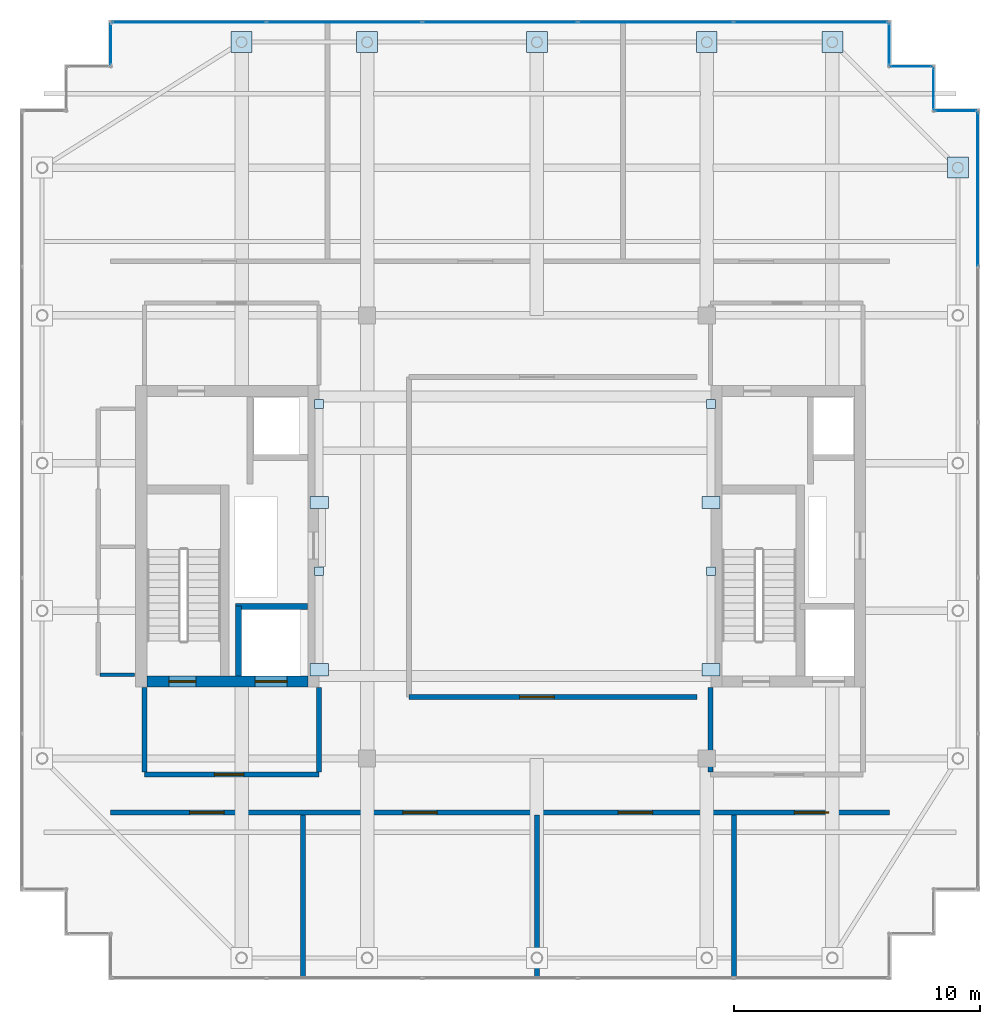
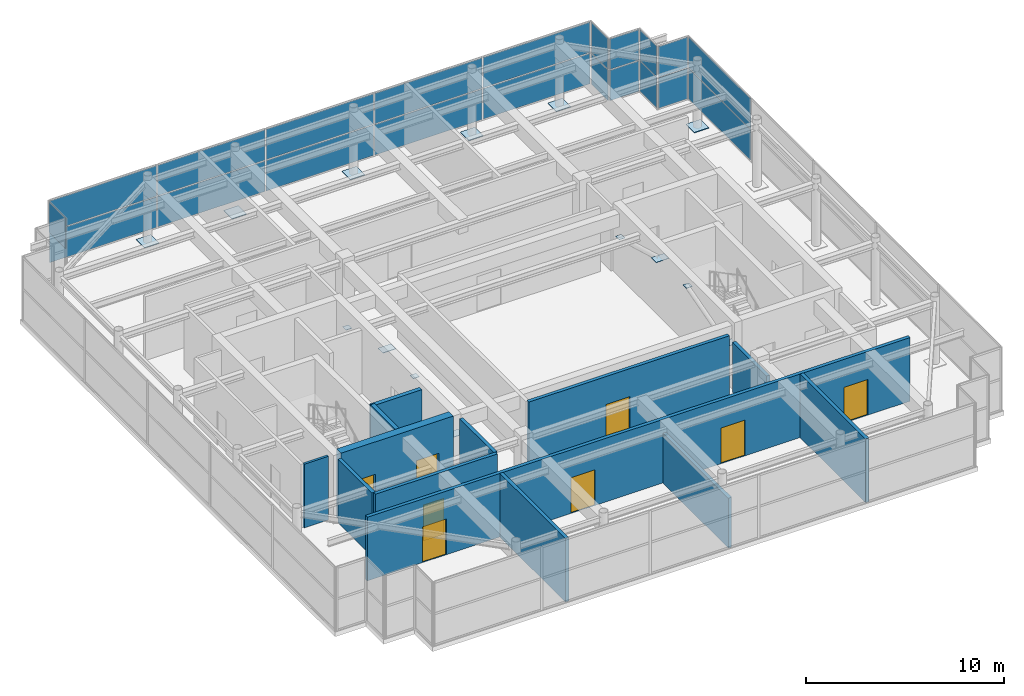
# One storey, part 29 of 32: 35 plates, 13 walls, 8 doors, 8 openings, 7 elements without a shape of their own.
"""IFC4 building model written with IfcOpenShell, lengths in metres."""

from ifc_helpers import new_model, si_unit, direction, frame, frame_2d, origin, origin_2d, place, context, subcontext, project, spatial, rectangle, extrude, source, transform, mapped, material, layer, layer_set, type_object, element, fill, aggregate, save


model = new_model("IFC4")

# Units and contexts
model_context = context("Model", 3, precision=1e-05, world=origin(), true_north=direction((0.0, 1.0)))
body_context = subcontext(model_context, "Body", "Model", "MODEL_VIEW")
ifc_project = project(units=[si_unit("LENGTHUNIT", "METRE"), si_unit("AREAUNIT", "SQUARE_METRE"), si_unit("VOLUMEUNIT", "CUBIC_METRE"), si_unit("PLANEANGLEUNIT", "RADIAN"), si_unit("MASSUNIT", "GRAM", prefix="KILO")], contexts=[model_context])

# Site, building, storey
site_placement = place(None, origin())
site = spatial("IfcSite", under=ifc_project, at=site_placement, CompositionType="ELEMENT")
building_placement = place(site_placement, origin())
building = spatial("IfcBuilding", under=site, at=building_placement, Name="Khoralis Quay Care Tower", CompositionType="ELEMENT")
storey_placement = place(building_placement, frame((0.0, 0.0, 293.699951171875)))
storey = spatial("IfcBuildingStorey", under=building, at=storey_placement, Name="L77", CompositionType="ELEMENT", Elevation=293.699951171875)

# Plates
ifc_material_1 = material(Name="Steel S355", Category="steel")
ifc_layer_1 = layer(ifc_material_1, 0.02001953125)
ifc_layer_set_1 = layer_set([ifc_layer_1], Name="Steel S355")
plate_type_1 = type_object("IfcPlateType", Name="PLT-CAP-350", PredefinedType="USERDEFINED", material=ifc_layer_set_1)
shared_shape_1 = source(origin(), body_context, "Body", "SweptSolid", [
    extrude(rectangle(XDim=0.35009765625, YDim=0.35009765625, at=origin_2d()), origin(), (0.0, 0.0, 1.0), 0.02001953125),
])
for number, where, z_axis, x_axis, name in (
    (1, (15.14794921875, 19.60009765625, 3.64013671875), (0.0, 0.0, 1.0), (1.0, 0.0, 0.0), "PLT-LNCP-L77-1"),
    (2, (15.14794921875, 26.39990234375, 2.510009765625), (0.0, 0.0, 1.0), (1.0, 0.0, 0.0), "PLT-LNCP-L77-2"),
    (3, (31.072021484375, 19.60009765625, 3.64013671875), (0.0, 0.0, 1.0), (1.0, 0.0, 0.0), "PLT-LNCP-L77-3"),
    (4, (31.072021484375, 26.39990234375, 2.510009765625), (0.0, 0.0, 1.0), (1.0, 0.0, 0.0), "PLT-LNCP-L77-4"),
):
    element("IfcPlate", number, at=place(storey_placement, frame(where, z_axis=z_axis, x_axis=x_axis)), inside=storey, type_object=plate_type_1, Name=name, ObjectType="BASE_PLATE", PredefinedType="USERDEFINED", context=body_context, shape_type="MappedRepresentation", body=[
        mapped(shared_shape_1, transform((0.0, 0.0, 0.0), scale=1.0)),
    ])
ifc_material_2 = material(Name="Steel S460", Category="steel")
ifc_layer_2 = layer(ifc_material_2, 0.0400390625)
ifc_layer_set_2 = layer_set([ifc_layer_2], Name="Steel S460")
plate_type_2 = type_object("IfcPlateType", Name="PLT-BASE-LB1", PredefinedType="USERDEFINED", material=ifc_layer_set_2)
shared_shape_2 = source(origin(), body_context, "Body", "SweptSolid", [
    extrude(rectangle(XDim=0.85009765625, YDim=0.85009765625, at=origin_2d()), origin(), (0.0, 0.0, 1.0), 0.0400390625),
])
for number, where, z_axis, x_axis, name in (
    (5, (12.0, 41.10009765625, 0.0), (0.0, 0.0, 1.0), (1.0, 0.0, 0.0), "Lantern Crown Column Base Plate LB1-02"),
    (6, (17.10009765625, 41.10009765625, 0.0), (0.0, 0.0, 1.0), (1.0, 0.0, 0.0), "Lantern Crown Column Base Plate LB1-04"),
    (7, (24.0, 41.10009765625, 0.0), (0.0, 0.0, 1.0), (1.0, 0.0, 0.0), "Lantern Crown Column Base Plate LB1-06"),
    (8, (30.89990234375, 41.10009765625, 0.0), (0.0, 0.0, 1.0), (1.0, 0.0, 0.0), "Lantern Crown Column Base Plate LB1-08"),
    (9, (36.0, 41.10009765625, 0.0), (0.0, 0.0, 1.0), (1.0, 0.0, 0.0), "Lantern Crown Column Base Plate LB1-10"),
    (10, (41.10009765625, 36.0, 0.0), (0.0, 0.0, 1.0), (1.0, 0.0, 0.0), "Lantern Crown Column Base Plate LB1-20"),
):
    element("IfcPlate", number, at=place(storey_placement, frame(where, z_axis=z_axis, x_axis=x_axis)), inside=storey, type_object=plate_type_2, Name=name, ObjectType="BASE_PLATE", PredefinedType="USERDEFINED", context=body_context, shape_type="MappedRepresentation", body=[
        mapped(shared_shape_2, transform((0.0, 0.0, 0.0), scale=1.0)),
    ])
ifc_layer_3 = layer(ifc_material_1, 0.02490234375)
ifc_layer_set_3 = layer_set([ifc_layer_3], Name="Steel S355")
plate_type_3 = type_object("IfcPlateType", Name="PLT-NODE-LN1", PredefinedType="USERDEFINED", material=ifc_layer_set_3)
shared_shape_3 = source(origin(), body_context, "Body", "SweptSolid", [
    extrude(rectangle(XDim=0.75, YDim=0.5, at=origin_2d()), origin(), (0.0, 0.0, 1.0), 0.02490234375),
])
for number, where, z_axis, x_axis, name in (
    (11, (15.14794921875, 15.60009765625, 2.507568359375), (0.0, 0.0, 1.0), (1.0, 0.0, 0.0), "PLT-LN1-L77-1"),
    (12, (15.14794921875, 22.39990234375, 3.6376953125), (0.0, 0.0, 1.0), (1.0, 0.0, 0.0), "PLT-LN1-L77-2"),
    (13, (31.072021484375, 15.60009765625, 2.507568359375), (0.0, 0.0, 1.0), (1.0, 0.0, 0.0), "PLT-LN1-L77-3"),
    (14, (31.072021484375, 22.39990234375, 3.6376953125), (0.0, 0.0, 1.0), (1.0, 0.0, 0.0), "PLT-LN1-L77-4"),
):
    element("IfcPlate", number, at=place(storey_placement, frame(where, z_axis=z_axis, x_axis=x_axis)), inside=storey, type_object=plate_type_3, Name=name, ObjectType="GUSSET_PLATE", PredefinedType="USERDEFINED", context=body_context, shape_type="MappedRepresentation", body=[
        mapped(shared_shape_3, transform((0.0, 0.0, 0.0), scale=1.0)),
    ])

# Curtain wall, plates
ifc_material_3 = material(Name="Pale anodised aluminium", Category="aluminium")
ifc_layer_4 = layer(ifc_material_3, 0.199951171875)
ifc_layer_set_4 = layer_set([ifc_layer_4], Name="Pale anodised aluminium")
curtain_wall_type = type_object("IfcCurtainWallType", Name="CW-SYS-LANTERN", PredefinedType="NOTDEFINED", material=ifc_layer_set_4)
curtain_wall_1_placement = place(storey_placement, origin())
curtain_wall_1 = element("IfcCurtainWall", 15, at=curtain_wall_1_placement, inside=storey, type_object=curtain_wall_type, Name="L77 Unitised Curtain Wall CW-LN-L77-06", PredefinedType="NOTDEFINED")
ifc_material_4 = material(Name="Low-iron clear lantern glazing", Category="glass")
ifc_layer_5 = layer(ifc_material_4, 0.035888671875)
ifc_layer_set_5 = layer_set([ifc_layer_5], Name="Low-iron clear lantern glazing")
plate_type_4 = type_object("IfcPlateType", Name="PNL-LNT-36", PredefinedType="CURTAIN_PANEL", material=ifc_layer_set_5)
shared_shape_4 = source(origin(), body_context, "Body", "SweptSolid", [
    extrude(rectangle(XDim=6.23388671875, YDim=0.028076171875, at=origin_2d()), origin(), (0.0, 0.0, 1.0), 1.8701171875),
])
plate_1_placement = place(storey_placement, frame((41.909912109375, 35.133056640625, 0.06005859375), z_axis=(0.0, 0.0, 1.0), x_axis=(0.0, 1.0, 0.0)))
plate_1 = element("IfcPlate", 16, at=plate_1_placement, type_object=plate_type_4, Name="CW5 panel 5.1", PredefinedType="CURTAIN_PANEL", context=body_context, shape_type="MappedRepresentation", body=[
    mapped(shared_shape_4, transform((0.0, 0.0, 0.0), scale=1.0)),
])
plate_2_placement = place(storey_placement, frame((41.909912109375, 35.133056640625, 1.989990234375), z_axis=(0.0, 0.0, 1.0), x_axis=(0.0, 1.0, 0.0)))
plate_2 = element("IfcPlate", 17, at=plate_2_placement, type_object=plate_type_4, Name="CW5 panel 5.2", PredefinedType="CURTAIN_PANEL", context=body_context, shape_type="MappedRepresentation", body=[
    mapped(shared_shape_4, transform((0.0, 0.0, 0.0), scale=1.0)),
])
aggregate(curtain_wall_1, [plate_1, plate_2])

curtain_wall_2_placement = place(storey_placement, origin())
curtain_wall_2 = element("IfcCurtainWall", 18, at=curtain_wall_2_placement, inside=storey, type_object=curtain_wall_type, Name="L77 Unitised Curtain Wall CW-LN-L77-11", PredefinedType="NOTDEFINED")
plate_3_placement = place(storey_placement, frame((35.133056640625, 41.909912109375, 0.06005859375), z_axis=(0.0, 0.0, 1.0), x_axis=(-1.0, 0.0, 0.0)))
plate_3 = element("IfcPlate", 19, at=plate_3_placement, type_object=plate_type_4, Name="CW5 panel 1.1", PredefinedType="CURTAIN_PANEL", context=body_context, shape_type="MappedRepresentation", body=[
    mapped(shared_shape_4, transform((0.0, 0.0, 0.0), scale=1.0)),
])
plate_4_placement = place(storey_placement, frame((35.133056640625, 41.909912109375, 1.989990234375), z_axis=(0.0, 0.0, 1.0), x_axis=(-1.0, 0.0, 0.0)))
plate_4 = element("IfcPlate", 20, at=plate_4_placement, type_object=plate_type_4, Name="CW5 panel 1.2", PredefinedType="CURTAIN_PANEL", context=body_context, shape_type="MappedRepresentation", body=[
    mapped(shared_shape_4, transform((0.0, 0.0, 0.0), scale=1.0)),
])
plate_5_placement = place(storey_placement, frame((9.866943359375, 41.909912109375, 0.06005859375), z_axis=(0.0, 0.0, 1.0), x_axis=(-1.0, 0.0, 0.0)))
plate_5 = element("IfcPlate", 21, at=plate_5_placement, type_object=plate_type_4, Name="CW5 panel 5.1", PredefinedType="CURTAIN_PANEL", context=body_context, shape_type="MappedRepresentation", body=[
    mapped(shared_shape_4, transform((0.0, 0.0, 0.0), scale=1.0)),
])
plate_6_placement = place(storey_placement, frame((9.866943359375, 41.909912109375, 1.989990234375), z_axis=(0.0, 0.0, 1.0), x_axis=(-1.0, 0.0, 0.0)))
plate_6 = element("IfcPlate", 22, at=plate_6_placement, type_object=plate_type_4, Name="CW5 panel 5.2", PredefinedType="CURTAIN_PANEL", context=body_context, shape_type="MappedRepresentation", body=[
    mapped(shared_shape_4, transform((0.0, 0.0, 0.0), scale=1.0)),
])
shared_shape_5 = source(origin(), body_context, "Body", "SweptSolid", [
    extrude(rectangle(XDim=6.263916015625, YDim=0.028076171875, at=origin_2d()), origin(), (0.0, 0.0, 1.0), 1.8701171875),
])
plate_7_placement = place(storey_placement, frame((28.823974609375, 41.909912109375, 0.06005859375), z_axis=(0.0, 0.0, 1.0), x_axis=(-1.0, 0.0, 0.0)))
plate_7 = element("IfcPlate", 23, at=plate_7_placement, type_object=plate_type_4, Name="CW5 panel 2.1", PredefinedType="CURTAIN_PANEL", context=body_context, shape_type="MappedRepresentation", body=[
    mapped(shared_shape_5, transform((0.0, 0.0, 0.0), scale=1.0)),
])
plate_8_placement = place(storey_placement, frame((28.823974609375, 41.909912109375, 1.989990234375), z_axis=(0.0, 0.0, 1.0), x_axis=(-1.0, 0.0, 0.0)))
plate_8 = element("IfcPlate", 24, at=plate_8_placement, type_object=plate_type_4, Name="CW5 panel 2.2", PredefinedType="CURTAIN_PANEL", context=body_context, shape_type="MappedRepresentation", body=[
    mapped(shared_shape_5, transform((0.0, 0.0, 0.0), scale=1.0)),
])
plate_9_placement = place(storey_placement, frame((22.5, 41.909912109375, 0.06005859375), z_axis=(0.0, 0.0, 1.0), x_axis=(-1.0, 0.0, 0.0)))
plate_9 = element("IfcPlate", 25, at=plate_9_placement, type_object=plate_type_4, Name="CW5 panel 3.1", PredefinedType="CURTAIN_PANEL", context=body_context, shape_type="MappedRepresentation", body=[
    mapped(shared_shape_5, transform((0.0, 0.0, 0.0), scale=1.0)),
])
plate_10_placement = place(storey_placement, frame((22.5, 41.909912109375, 1.989990234375), z_axis=(0.0, 0.0, 1.0), x_axis=(-1.0, 0.0, 0.0)))
plate_10 = element("IfcPlate", 26, at=plate_10_placement, type_object=plate_type_4, Name="CW5 panel 3.2", PredefinedType="CURTAIN_PANEL", context=body_context, shape_type="MappedRepresentation", body=[
    mapped(shared_shape_5, transform((0.0, 0.0, 0.0), scale=1.0)),
])
plate_11_placement = place(storey_placement, frame((16.176025390625, 41.909912109375, 0.06005859375), z_axis=(0.0, 0.0, 1.0), x_axis=(-1.0, 0.0, 0.0)))
plate_11 = element("IfcPlate", 27, at=plate_11_placement, type_object=plate_type_4, Name="CW5 panel 4.1", PredefinedType="CURTAIN_PANEL", context=body_context, shape_type="MappedRepresentation", body=[
    mapped(shared_shape_5, transform((0.0, 0.0, 0.0), scale=1.0)),
])
plate_12_placement = place(storey_placement, frame((16.176025390625, 41.909912109375, 1.989990234375), z_axis=(0.0, 0.0, 1.0), x_axis=(-1.0, 0.0, 0.0)))
plate_12 = element("IfcPlate", 28, at=plate_12_placement, type_object=plate_type_4, Name="CW5 panel 4.2", PredefinedType="CURTAIN_PANEL", context=body_context, shape_type="MappedRepresentation", body=[
    mapped(shared_shape_5, transform((0.0, 0.0, 0.0), scale=1.0)),
])
aggregate(curtain_wall_2, [plate_3, plate_4, plate_7, plate_8, plate_9, plate_10, plate_11, plate_12, plate_5, plate_6])

curtain_wall_3_placement = place(storey_placement, origin())
curtain_wall_3 = element("IfcCurtainWall", 29, at=curtain_wall_3_placement, inside=storey, type_object=curtain_wall_type, Name="L77 Unitised Curtain Wall CW-LN-L77-07", PredefinedType="NOTDEFINED")
shared_shape_6 = source(origin(), body_context, "Body", "SweptSolid", [
    extrude(rectangle(XDim=1.679931640625, YDim=0.028076171875, at=origin_2d()), origin(), (0.0, 0.0, 1.0), 1.8701171875),
])
plate_13_placement = place(storey_placement, frame((41.010009765625, 38.31005859375, 0.06005859375), z_axis=(0.0, 0.0, 1.0), x_axis=(-1.0, 0.0, 0.0)))
plate_13 = element("IfcPlate", 30, at=plate_13_placement, type_object=plate_type_4, Name="CW5 panel 1.1", PredefinedType="CURTAIN_PANEL", context=body_context, shape_type="MappedRepresentation", body=[
    mapped(shared_shape_6, transform((0.0, 0.0, 0.0), scale=1.0)),
])
plate_14_placement = place(storey_placement, frame((41.010009765625, 38.31005859375, 1.989990234375), z_axis=(0.0, 0.0, 1.0), x_axis=(-1.0, 0.0, 0.0)))
plate_14 = element("IfcPlate", 31, at=plate_14_placement, type_object=plate_type_4, Name="CW5 panel 1.2", PredefinedType="CURTAIN_PANEL", context=body_context, shape_type="MappedRepresentation", body=[
    mapped(shared_shape_6, transform((0.0, 0.0, 0.0), scale=1.0)),
])
aggregate(curtain_wall_3, [plate_13, plate_14])

curtain_wall_4_placement = place(storey_placement, origin())
curtain_wall_4 = element("IfcCurtainWall", 32, at=curtain_wall_4_placement, inside=storey, type_object=curtain_wall_type, Name="L77 Unitised Curtain Wall CW-LN-L77-08", PredefinedType="NOTDEFINED")
plate_15_placement = place(storey_placement, frame((40.110107421875, 39.2099609375, 0.06005859375), z_axis=(0.0, 0.0, 1.0), x_axis=(0.0, 1.0, 0.0)))
plate_15 = element("IfcPlate", 33, at=plate_15_placement, type_object=plate_type_4, Name="CW5 panel 1.1", PredefinedType="CURTAIN_PANEL", context=body_context, shape_type="MappedRepresentation", body=[
    mapped(shared_shape_6, transform((0.0, 0.0, 0.0), scale=1.0)),
])
plate_16_placement = place(storey_placement, frame((40.110107421875, 39.2099609375, 1.989990234375), z_axis=(0.0, 0.0, 1.0), x_axis=(0.0, 1.0, 0.0)))
plate_16 = element("IfcPlate", 34, at=plate_16_placement, type_object=plate_type_4, Name="CW5 panel 1.2", PredefinedType="CURTAIN_PANEL", context=body_context, shape_type="MappedRepresentation", body=[
    mapped(shared_shape_6, transform((0.0, 0.0, 0.0), scale=1.0)),
])
aggregate(curtain_wall_4, [plate_15, plate_16])

curtain_wall_5_placement = place(storey_placement, origin())
curtain_wall_5 = element("IfcCurtainWall", 35, at=curtain_wall_5_placement, inside=storey, type_object=curtain_wall_type, Name="L77 Unitised Curtain Wall CW-LN-L77-09", PredefinedType="NOTDEFINED")
plate_17_placement = place(storey_placement, frame((39.2099609375, 40.110107421875, 0.06005859375), z_axis=(0.0, 0.0, 1.0), x_axis=(-1.0, 0.0, 0.0)))
plate_17 = element("IfcPlate", 36, at=plate_17_placement, type_object=plate_type_4, Name="CW5 panel 1.1", PredefinedType="CURTAIN_PANEL", context=body_context, shape_type="MappedRepresentation", body=[
    mapped(shared_shape_6, transform((0.0, 0.0, 0.0), scale=1.0)),
])
plate_18_placement = place(storey_placement, frame((39.2099609375, 40.110107421875, 1.989990234375), z_axis=(0.0, 0.0, 1.0), x_axis=(-1.0, 0.0, 0.0)))
plate_18 = element("IfcPlate", 37, at=plate_18_placement, type_object=plate_type_4, Name="CW5 panel 1.2", PredefinedType="CURTAIN_PANEL", context=body_context, shape_type="MappedRepresentation", body=[
    mapped(shared_shape_6, transform((0.0, 0.0, 0.0), scale=1.0)),
])
aggregate(curtain_wall_5, [plate_17, plate_18])

curtain_wall_6_placement = place(storey_placement, origin())
curtain_wall_6 = element("IfcCurtainWall", 38, at=curtain_wall_6_placement, inside=storey, type_object=curtain_wall_type, Name="L77 Unitised Curtain Wall CW-LN-L77-10", PredefinedType="NOTDEFINED")
plate_19_placement = place(storey_placement, frame((38.31005859375, 41.010009765625, 0.06005859375), z_axis=(0.0, 0.0, 1.0), x_axis=(0.0, 1.0, 0.0)))
plate_19 = element("IfcPlate", 39, at=plate_19_placement, type_object=plate_type_4, Name="CW5 panel 1.1", PredefinedType="CURTAIN_PANEL", context=body_context, shape_type="MappedRepresentation", body=[
    mapped(shared_shape_6, transform((0.0, 0.0, 0.0), scale=1.0)),
])
plate_20_placement = place(storey_placement, frame((38.31005859375, 41.010009765625, 1.989990234375), z_axis=(0.0, 0.0, 1.0), x_axis=(0.0, 1.0, 0.0)))
plate_20 = element("IfcPlate", 40, at=plate_20_placement, type_object=plate_type_4, Name="CW5 panel 1.2", PredefinedType="CURTAIN_PANEL", context=body_context, shape_type="MappedRepresentation", body=[
    mapped(shared_shape_6, transform((0.0, 0.0, 0.0), scale=1.0)),
])
aggregate(curtain_wall_6, [plate_19, plate_20])

# Curtain wall, plate
curtain_wall_7_placement = place(storey_placement, origin())
curtain_wall_7 = element("IfcCurtainWall", 41, at=curtain_wall_7_placement, inside=storey, type_object=curtain_wall_type, Name="L77 Unitised Curtain Wall CW-LN-L77-12", PredefinedType="NOTDEFINED")
plate_21_placement = place(storey_placement, frame((6.68994140625, 41.010009765625, 1.989990234375), z_axis=(0.0, 0.0, 1.0), x_axis=(0.0, -1.0, 0.0)))
plate_21 = element("IfcPlate", 42, at=plate_21_placement, type_object=plate_type_4, Name="CW5 panel 1.2", PredefinedType="CURTAIN_PANEL", context=body_context, shape_type="MappedRepresentation", body=[
    mapped(shared_shape_6, transform((0.0, 0.0, 0.0), scale=1.0)),
])
aggregate(curtain_wall_7, [plate_21])

# Wall, opening, door
ifc_material_5 = material(Name="Gypsum plasterboard on acoustic metal stud")
ifc_layer_6 = layer(ifc_material_5, 0.199951171875)
ifc_layer_set_6 = layer_set([ifc_layer_6], Name="Gypsum plasterboard on acoustic metal stud")
wall_type_1 = type_object("IfcWallType", Name="WL-COMP-200", PredefinedType="PARTITIONING", material=ifc_layer_set_6)
wall_1_placement = place(storey_placement, frame((8.050048828125, 11.35009765625, 0.0), z_axis=(0.0, 0.0, 1.0), x_axis=(1.0, 0.0, 0.0)))
wall_1 = element("IfcWall", 43, at=wall_1_placement, inside=storey, type_object=wall_type_1, Name="L77 West Firefighting Lobby South Wall", PredefinedType="PARTITIONING", context=body_context, shape_type="SweptSolid", body=[
    extrude(rectangle(XDim=7.099853515625, YDim=0.199951171875, at=frame_2d((3.5498046875, 0.0))), origin(), (0.0, 0.0, 1.0), 3.920166015625),
])
opening_1_placement = place(wall_1_placement, frame((2.846435546875, 0.0, 0.0)))
opening_1 = element("IfcOpeningElement", 44, at=opening_1_placement, cuts=wall_1, Name="Opening FD1", PredefinedType="OPENING", context=body_context, shape_type="SweptSolid", body=[
    extrude(rectangle(XDim=1.199951171875, YDim=2.199951171875, at=frame_2d((0.60009765625, 1.10009765625))), frame((0.0, 0.10986328125, 0.0), z_axis=(0.0, -1.0, 0.0), x_axis=(1.0, 0.0, 0.0)), (0.0, 0.0, 1.0), 0.219970703125),
])
ifc_material_6 = material(Name="Fire-rated painted steel", Category="steel")
door_type_1 = type_object("IfcDoorType", Name="DR-FFL-1200X2200", OperationType="NOTDEFINED", PredefinedType="DOOR", material=ifc_material_6)
shared_shape_7 = source(origin(), body_context, "Body", "SweptSolid", [
    extrude(rectangle(XDim=1.199951171875, YDim=2.199951171875, at=frame_2d((0.60009765625, 1.10009765625))), frame((0.0, 0.02490234375, 0.0), z_axis=(0.0, -1.0, 0.0), x_axis=(1.0, 0.0, 0.0)), (0.0, 0.0, 1.0), 0.050048828125),
])
door_1_placement = place(opening_1_placement, origin())
door_1 = element("IfcDoor", 45, at=door_1_placement, inside=storey, type_object=door_type_1, Name="L77 West Firefighting Lobby Fire Door", OperationType="SINGLE_SWING_LEFT", OverallHeight=2.199951171875, OverallWidth=1.199951171875, PredefinedType="DOOR", context=body_context, shape_type="MappedRepresentation", body=[
    mapped(shared_shape_7, transform((0.0, 0.0, 0.0), scale=1.0)),
])
fill(opening_1, door_1)

# Walls
for number, where, z_axis, x_axis, name in (
    (46, (8.050048828125, 11.445068359375, 0.0), (0.0, 0.0, 1.0), (0.0, 1.0, 0.0), "L77 West Firefighting Lobby West Wall"),
    (47, (15.14990234375, 11.445068359375, 0.0), (0.0, 0.0, 1.0), (0.0, 1.0, 0.0), "L77 West Firefighting Lobby East Wall"),
):
    element("IfcWall", number, at=place(storey_placement, frame(where, z_axis=z_axis, x_axis=x_axis)), inside=storey, type_object=wall_type_1, Name=name, PredefinedType="PARTITIONING", context=body_context, shape_type="SweptSolid", body=[
        extrude(rectangle(XDim=3.434814453125, YDim=0.199951171875, at=frame_2d((1.71728515625, 0.0))), origin(), (0.0, 0.0, 1.0), 3.920166015625),
    ])
wall_2_placement = place(storey_placement, frame((31.050048828125, 11.445068359375, 0.0), z_axis=(0.0, 0.0, 1.0), x_axis=(0.0, 1.0, 0.0)))
element("IfcWall", 48, at=wall_2_placement, inside=storey, type_object=wall_type_1, Name="L77 East Firefighting Lobby West Wall", PredefinedType="PARTITIONING", context=body_context, shape_type="SweptSolid", body=[
    extrude(rectangle(XDim=3.434814453125, YDim=0.199951171875, at=frame_2d((1.71728515625, 0.0))), origin(), (0.0, 0.0, 1.0), 3.070068359375),
])

# Wall, openings, doors
wall_3_placement = place(storey_placement, frame((6.679931640625, 9.800048828125, 0.0), z_axis=(0.0, 0.0, 1.0), x_axis=(1.0, 0.0, 0.0)))
wall_3 = element("IfcWall", 49, at=wall_3_placement, inside=storey, type_object=wall_type_1, Name="L77 Plant Corridor South Wall", PredefinedType="PARTITIONING", context=body_context, shape_type="SweptSolid", body=[
    extrude(rectangle(XDim=31.64013671875, YDim=0.199951171875, at=frame_2d((15.820068359375, 0.0))), origin(), (0.0, 0.0, 1.0), 3.920166015625),
])
opening_2_placement = place(wall_3_placement, frame((3.2099609375, 0.0, 0.0)))
opening_2 = element("IfcOpeningElement", 50, at=opening_2_placement, cuts=wall_3, Name="Opening PD1", PredefinedType="OPENING", context=body_context, shape_type="SweptSolid", body=[
    extrude(rectangle(XDim=1.39990234375, YDim=2.199951171875, at=frame_2d((0.699951171875, 1.10009765625))), frame((0.0, 0.10986328125, 0.0), z_axis=(0.0, -1.0, 0.0), x_axis=(1.0, 0.0, 0.0)), (0.0, 0.0, 1.0), 0.219970703125),
])
opening_3_placement = place(wall_3_placement, frame((11.8701171875, 0.0, 0.0)))
opening_3 = element("IfcOpeningElement", 51, at=opening_3_placement, cuts=wall_3, Name="Opening PD1", PredefinedType="OPENING", context=body_context, shape_type="SweptSolid", body=[
    extrude(rectangle(XDim=1.39990234375, YDim=2.199951171875, at=frame_2d((0.699951171875, 1.10009765625))), frame((0.0, 0.10986328125, 0.0), z_axis=(0.0, -1.0, 0.0), x_axis=(1.0, 0.0, 0.0)), (0.0, 0.0, 1.0), 0.219970703125),
])
opening_4_placement = place(wall_3_placement, frame((20.6201171875, 0.0, 0.0)))
opening_4 = element("IfcOpeningElement", 52, at=opening_4_placement, cuts=wall_3, Name="Opening PD1", PredefinedType="OPENING", context=body_context, shape_type="SweptSolid", body=[
    extrude(rectangle(XDim=1.39990234375, YDim=2.199951171875, at=frame_2d((0.699951171875, 1.10009765625))), frame((0.0, 0.10986328125, 0.0), z_axis=(0.0, -1.0, 0.0), x_axis=(1.0, 0.0, 0.0)), (0.0, 0.0, 1.0), 0.219970703125),
])
opening_5_placement = place(wall_3_placement, frame((27.780029296875, 0.0, 0.0)))
opening_5 = element("IfcOpeningElement", 53, at=opening_5_placement, cuts=wall_3, Name="Opening PD1", PredefinedType="OPENING", context=body_context, shape_type="SweptSolid", body=[
    extrude(rectangle(XDim=1.39990234375, YDim=2.199951171875, at=frame_2d((0.699951171875, 1.10009765625))), frame((0.0, 0.10986328125, 0.0), z_axis=(0.0, -1.0, 0.0), x_axis=(1.0, 0.0, 0.0)), (0.0, 0.0, 1.0), 0.219970703125),
])
door_type_2 = type_object("IfcDoorType", Name="DR-PLANT-1400X2200", OperationType="NOTDEFINED", PredefinedType="DOOR", material=ifc_material_6)
shared_shape_8 = source(origin(), body_context, "Body", "SweptSolid", [
    extrude(rectangle(XDim=1.39990234375, YDim=2.199951171875, at=frame_2d((0.699951171875, 1.10009765625))), frame((0.0, 0.02490234375, 0.0), z_axis=(0.0, -1.0, 0.0), x_axis=(1.0, 0.0, 0.0)), (0.0, 0.0, 1.0), 0.050048828125),
])
door_2_placement = place(opening_2_placement, frame((1.39990234375, 0.0, 0.0), z_axis=(0.0, 0.0, 1.0), x_axis=(-1.0, 0.0, 0.0)))
door_2 = element("IfcDoor", 54, at=door_2_placement, inside=storey, type_object=door_type_2, Name="L77 Air Handling Plant Room Plant Door", OperationType="DOUBLE_DOOR_SINGLE_SWING", OverallHeight=2.199951171875, OverallWidth=1.39990234375, PredefinedType="DOOR", context=body_context, shape_type="MappedRepresentation", body=[
    mapped(shared_shape_8, transform((0.0, 0.0, 0.0), scale=1.0)),
])
fill(opening_2, door_2)
door_3_placement = place(opening_3_placement, frame((1.39990234375, 0.0, 0.0), z_axis=(0.0, 0.0, 1.0), x_axis=(-1.0, 0.0, 0.0)))
door_3 = element("IfcDoor", 55, at=door_3_placement, inside=storey, type_object=door_type_2, Name="L77 Electrical Switchgear Room Plant Door", OperationType="DOUBLE_DOOR_SINGLE_SWING", OverallHeight=2.199951171875, OverallWidth=1.39990234375, PredefinedType="DOOR", context=body_context, shape_type="MappedRepresentation", body=[
    mapped(shared_shape_8, transform((0.0, 0.0, 0.0), scale=1.0)),
])
fill(opening_3, door_3)
door_4_placement = place(opening_4_placement, frame((1.39990234375, 0.0, 0.0), z_axis=(0.0, 0.0, 1.0), x_axis=(-1.0, 0.0, 0.0)))
door_4 = element("IfcDoor", 56, at=door_4_placement, inside=storey, type_object=door_type_2, Name="L77 BMS Control Plant Room Plant Door", OperationType="DOUBLE_DOOR_SINGLE_SWING", OverallHeight=2.199951171875, OverallWidth=1.39990234375, PredefinedType="DOOR", context=body_context, shape_type="MappedRepresentation", body=[
    mapped(shared_shape_8, transform((0.0, 0.0, 0.0), scale=1.0)),
])
fill(opening_4, door_4)
door_5_placement = place(opening_5_placement, frame((1.39990234375, 0.0, 0.0), z_axis=(0.0, 0.0, 1.0), x_axis=(-1.0, 0.0, 0.0)))
door_5 = element("IfcDoor", 57, at=door_5_placement, inside=storey, type_object=door_type_2, Name="L77 Lantern Dimming Plant Plant Door", OperationType="DOUBLE_DOOR_SINGLE_SWING", OverallHeight=2.199951171875, OverallWidth=1.39990234375, PredefinedType="DOOR", context=body_context, shape_type="MappedRepresentation", body=[
    mapped(shared_shape_8, transform((0.0, 0.0, 0.0), scale=1.0)),
])
fill(opening_5, door_5)

# Wall, opening, door
wall_4_placement = place(storey_placement, frame((18.800048828125, 14.5, 0.0), z_axis=(0.0, 0.0, 1.0), x_axis=(1.0, 0.0, 0.0)))
wall_4 = element("IfcWall", 58, at=wall_4_placement, inside=storey, type_object=wall_type_1, Name="L77 Central Plant South Wall", PredefinedType="PARTITIONING", context=body_context, shape_type="SweptSolid", body=[
    extrude(rectangle(XDim=11.699951171875, YDim=0.199951171875, at=frame_2d((5.85009765625, 0.0))), origin(), (0.0, 0.0, 1.0), 3.920166015625),
])
opening_6_placement = place(wall_4_placement, frame((4.5, 0.0, 0.0)))
opening_6 = element("IfcOpeningElement", 59, at=opening_6_placement, cuts=wall_4, Name="Opening PD1", PredefinedType="OPENING", context=body_context, shape_type="SweptSolid", body=[
    extrude(rectangle(XDim=1.39990234375, YDim=2.199951171875, at=frame_2d((0.699951171875, 1.10009765625))), frame((0.0, 0.10986328125, 0.0), z_axis=(0.0, -1.0, 0.0), x_axis=(1.0, 0.0, 0.0)), (0.0, 0.0, 1.0), 0.219970703125),
])
door_6_placement = place(opening_6_placement, origin())
door_6 = element("IfcDoor", 60, at=door_6_placement, inside=storey, type_object=door_type_2, Name="L77 Central Plant South Door", OperationType="DOUBLE_DOOR_SINGLE_SWING", OverallHeight=2.199951171875, OverallWidth=1.39990234375, PredefinedType="DOOR", context=body_context, shape_type="MappedRepresentation", body=[
    mapped(shared_shape_8, transform((0.0, 0.0, 0.0), scale=1.0)),
])
fill(opening_6, door_6)

# Walls
wall_5_placement = place(storey_placement, frame((14.5, 3.0849609375, 0.0), z_axis=(0.0, 0.0, 1.0), x_axis=(0.0, 1.0, 0.0)))
element("IfcWall", 61, at=wall_5_placement, inside=storey, type_object=wall_type_1, Name="L77 South Plant Divider 1", PredefinedType="PARTITIONING", context=body_context, shape_type="SweptSolid", body=[
    extrude(rectangle(XDim=6.6201171875, YDim=0.199951171875, at=frame_2d((3.31005859375, 0.0))), origin(), (0.0, 0.0, 1.0), 3.920166015625),
])
wall_6_placement = place(storey_placement, frame((24.0, 3.0849609375, 0.0), z_axis=(0.0, 0.0, 1.0), x_axis=(0.0, 1.0, 0.0)))
element("IfcWall", 62, at=wall_6_placement, inside=storey, type_object=wall_type_1, Name="L77 South Plant Divider 2", PredefinedType="PARTITIONING", context=body_context, shape_type="SweptSolid", body=[
    extrude(rectangle(XDim=6.6201171875, YDim=0.199951171875, at=frame_2d((3.31005859375, 0.0))), origin(), (0.0, 0.0, 1.0), 3.070068359375),
])
wall_7_placement = place(storey_placement, frame((32.0, 3.0849609375, 0.0), z_axis=(0.0, 0.0, 1.0), x_axis=(0.0, 1.0, 0.0)))
element("IfcWall", 63, at=wall_7_placement, inside=storey, type_object=wall_type_1, Name="L77 South Plant Divider 3", PredefinedType="PARTITIONING", context=body_context, shape_type="SweptSolid", body=[
    extrude(rectangle(XDim=6.6201171875, YDim=0.199951171875, at=frame_2d((3.31005859375, 0.0))), origin(), (0.0, 0.0, 1.0), 3.920166015625),
])

# Wall, openings, doors
ifc_material_7 = material(Name="Concrete C50/60", Category="concrete")
ifc_layer_7 = layer(ifc_material_7, 0.449951171875)
ifc_layer_set_7 = layer_set([ifc_layer_7], Name="Concrete C50/60")
wall_type_2 = type_object("IfcWallType", Name="WL-CORE-450", PredefinedType="SHEAR", material=ifc_layer_set_7)
wall_8_placement = place(storey_placement, frame((8.14990234375, 15.125, 0.0), z_axis=(0.0, 0.0, 1.0), x_axis=(1.0, 0.0, 0.0)))
wall_8 = element("IfcWall", 64, at=wall_8_placement, inside=storey, type_object=wall_type_2, Name="L77 WCORE South Shear Wall", PredefinedType="SHEAR", context=body_context, shape_type="SweptSolid", body=[
    extrude(rectangle(XDim=6.550048828125, YDim=0.449951171875, at=frame_2d((3.27490234375, 0.0))), origin(), (0.0, 0.0, 1.0), 4.199951171875),
])
opening_7_placement = place(wall_8_placement, frame((0.89990234375, 0.0, 0.0)))
opening_7 = element("IfcOpeningElement", 65, at=opening_7_placement, cuts=wall_8, Name="Opening SD1", PredefinedType="OPENING", context=body_context, shape_type="SweptSolid", body=[
    extrude(rectangle(XDim=1.10009765625, YDim=2.199951171875, at=frame_2d((0.550048828125, 1.10009765625))), frame((0.0, 0.23486328125, 0.0), z_axis=(0.0, -1.0, 0.0), x_axis=(1.0, 0.0, 0.0)), (0.0, 0.0, 1.0), 0.469970703125),
])
opening_8_placement = place(wall_8_placement, frame((4.39990234375, 0.0, 0.0)))
opening_8 = element("IfcOpeningElement", 66, at=opening_8_placement, cuts=wall_8, Name="Opening LD2", PredefinedType="OPENING", context=body_context, shape_type="SweptSolid", body=[
    extrude(rectangle(XDim=1.300048828125, YDim=2.199951171875, at=frame_2d((0.64990234375, 1.10009765625))), frame((0.0, 0.23486328125, 0.0), z_axis=(0.0, -1.0, 0.0), x_axis=(1.0, 0.0, 0.0)), (0.0, 0.0, 1.0), 0.469970703125),
])
door_type_3 = type_object("IfcDoorType", Name="DR-STAIR-1100X2200", OperationType="NOTDEFINED", PredefinedType="DOOR", material=ifc_material_6)
shared_shape_9 = source(origin(), body_context, "Body", "SweptSolid", [
    extrude(rectangle(XDim=1.10009765625, YDim=2.199951171875, at=frame_2d((0.550048828125, 1.10009765625))), frame((0.0, 0.02490234375, 0.0), z_axis=(0.0, -1.0, 0.0), x_axis=(1.0, 0.0, 0.0)), (0.0, 0.0, 1.0), 0.050048828125),
])
door_7_placement = place(opening_7_placement, origin())
door_7 = element("IfcDoor", 67, at=door_7_placement, inside=storey, type_object=door_type_3, Name="L77 Stair ST-T1 Fire Door", OperationType="SINGLE_SWING_LEFT", OverallHeight=2.199951171875, OverallWidth=1.10009765625, PredefinedType="DOOR", context=body_context, shape_type="MappedRepresentation", body=[
    mapped(shared_shape_9, transform((0.0, 0.0, 0.0), scale=1.0)),
])
fill(opening_7, door_7)
ifc_material_8 = material(Name="Brushed stainless steel", Category="steel")
door_type_4 = type_object("IfcDoorType", Name="DR-LIFT-1300X2200", OperationType="SLIDING_TO_RIGHT", PredefinedType="DOOR", material=ifc_material_8)
shared_shape_10 = source(origin(), body_context, "Body", "SweptSolid", [
    extrude(rectangle(XDim=1.300048828125, YDim=2.199951171875, at=frame_2d((0.64990234375, 1.10009765625))), frame((0.0, 0.02490234375, 0.0), z_axis=(0.0, -1.0, 0.0), x_axis=(1.0, 0.0, 0.0)), (0.0, 0.0, 1.0), 0.050048828125),
])
door_8_placement = place(opening_8_placement, origin())
door_8 = element("IfcDoor", 68, at=door_8_placement, inside=storey, type_object=door_type_4, Name="L77 Firefighting Lift FFL-1 Landing Door", OperationType="SLIDING_TO_RIGHT", OverallHeight=2.199951171875, OverallWidth=1.300048828125, PredefinedType="DOOR", context=body_context, shape_type="MappedRepresentation", body=[
    mapped(shared_shape_10, transform((0.0, 0.0, 0.0), scale=1.0)),
])
fill(opening_8, door_8)

# Walls
ifc_layer_8 = layer(ifc_material_5, 0.239990234375)
ifc_layer_set_8 = layer_set([ifc_layer_8], Name="Gypsum plasterboard on acoustic metal stud")
wall_type_3 = type_object("IfcWallType", Name="WL-SHAFT-240", PredefinedType="PARTITIONING", material=ifc_layer_set_8)
wall_9_placement = place(storey_placement, frame((11.8798828125, 15.35009765625, 0.0), z_axis=(0.0, 0.0, 1.0), x_axis=(0.0, 1.0, 0.0)))
element("IfcWall", 69, at=wall_9_placement, inside=storey, type_object=wall_type_3, Name="L77 FFL-1 Shaft Wall West", PredefinedType="PARTITIONING", context=body_context, shape_type="SweptSolid", body=[
    extrude(rectangle(XDim=2.849853515625, YDim=0.239990234375, at=frame_2d((1.4248046875, 0.0))), origin(), (0.0, 0.0, 1.0), 3.920166015625),
])
wall_10_placement = place(storey_placement, frame((11.760009765625, 18.169921875, 0.0), z_axis=(0.0, 0.0, 1.0), x_axis=(1.0, 0.0, 0.0)))
element("IfcWall", 70, at=wall_10_placement, inside=storey, type_object=wall_type_3, Name="L77 FFL-1 Shaft Wall North", PredefinedType="PARTITIONING", context=body_context, shape_type="SweptSolid", body=[
    extrude(rectangle(XDim=2.919921875, YDim=0.239990234375, at=frame_2d((1.4599609375, 0.0))), origin(), (0.0, 0.0, 1.0), 3.920166015625),
])
ifc_layer_9 = layer(ifc_material_5, 0.139892578125)
ifc_layer_set_9 = layer_set([ifc_layer_9], Name="Gypsum plasterboard on acoustic metal stud")
wall_type_4 = type_object("IfcWallType", Name="WL-UNIT-140", PredefinedType="PARTITIONING", material=ifc_layer_set_9)
wall_11_placement = place(storey_placement, frame((6.257568359375, 15.39990234375, 0.0), z_axis=(0.0, 0.0, 1.0), x_axis=(1.0, 0.0, 0.0)))
element("IfcWall", 71, at=wall_11_placement, inside=storey, type_object=wall_type_4, Name="L77 West Flank South Cap", PredefinedType="PARTITIONING", context=body_context, shape_type="SweptSolid", body=[
    extrude(rectangle(XDim=1.40234375, YDim=0.139892578125, at=frame_2d((0.701171875, 0.0))), origin(), (0.0, 0.0, 1.0), 3.920166015625),
])

save(model, "model.ifc")
